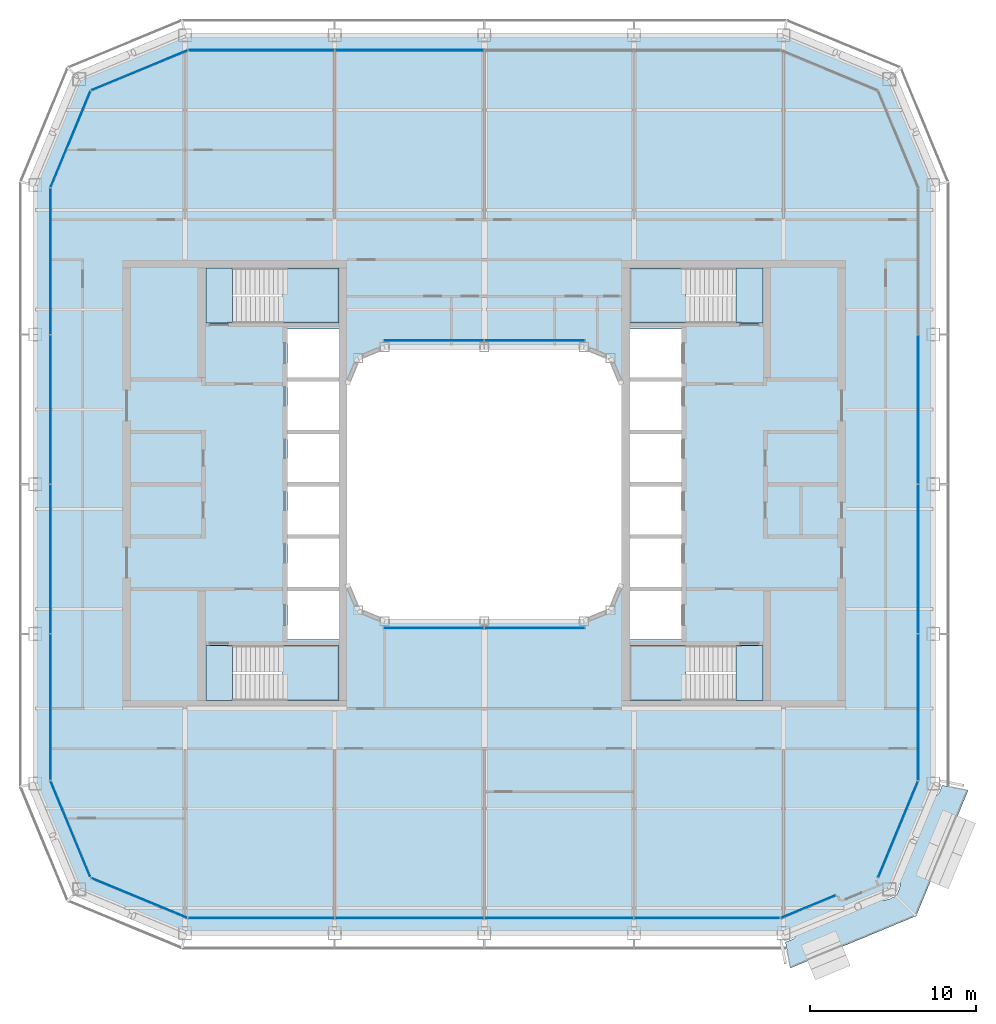
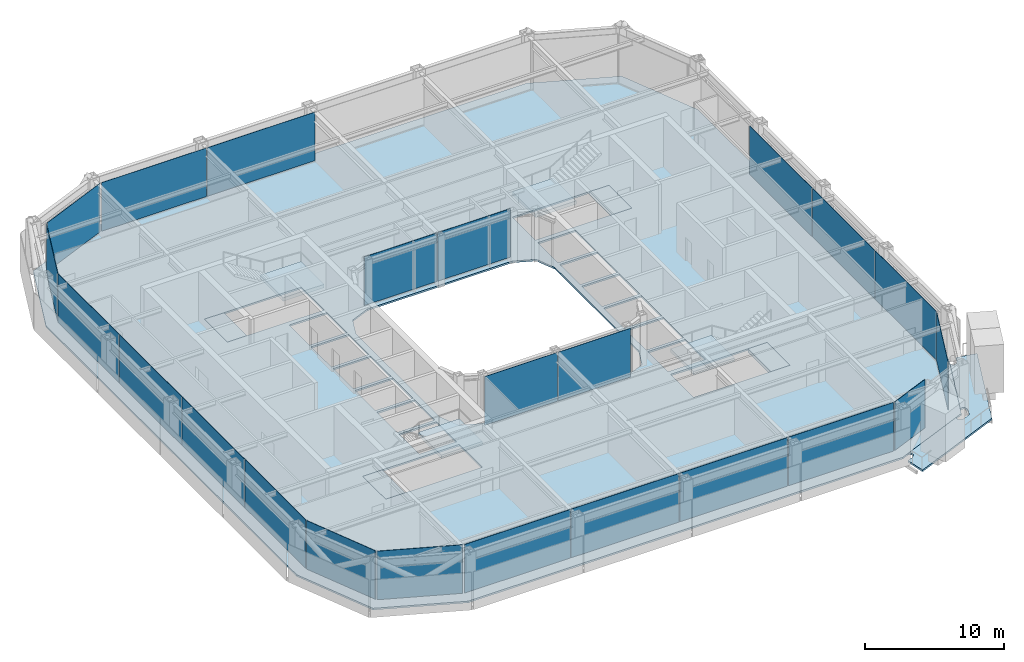
# One storey, part 11 of 22: 23 plates, 10 slabs, 16 elements without a shape of their own.
"""IFC4 building model written with IfcOpenShell, lengths in metres."""

from ifc_helpers import new_model, si_unit, direction, frame, origin, origin_2d, place, context, subcontext, project, spatial, polyline, rectangle, outline, extrude, material, layer, layer_set, type_object, element, aggregate, save


model = new_model("IFC4")

# Units and contexts
model_context = context("Model", 3, precision=1e-05, world=origin(), true_north=direction((0.0, 1.0)))
body_context = subcontext(model_context, "Body", "Model", "MODEL_VIEW")
ifc_project = project(units=[si_unit("LENGTHUNIT", "METRE"), si_unit("AREAUNIT", "SQUARE_METRE"), si_unit("VOLUMEUNIT", "CUBIC_METRE"), si_unit("PLANEANGLEUNIT", "RADIAN"), si_unit("MASSUNIT", "GRAM", prefix="KILO")], contexts=[model_context])

# Site, building, storey
site_placement = place(None, origin())
site = spatial("IfcSite", under=ifc_project, at=site_placement, CompositionType="ELEMENT")
building_placement = place(site_placement, origin())
building = spatial("IfcBuilding", under=site, at=building_placement, Name="Siwar Civic Tower", CompositionType="ELEMENT")
storey_placement = place(building_placement, frame((0.0, 0.0, 255.699951171875)))
storey = spatial("IfcBuildingStorey", under=building, at=storey_placement, Name="L55", CompositionType="ELEMENT", Elevation=255.699951171875)

# Stair, slabs
ifc_material_1 = material(Name="Concrete C40/50", Category="concrete")
stair_type = type_object("IfcStairType", Name="CORE-STAIR", PredefinedType="TWO_STRAIGHT_RUN_STAIR", material=ifc_material_1)
stair_1_placement = place(storey_placement, origin())
stair_1 = element("IfcStair", 1, at=stair_1_placement, inside=storey, type_object=stair_type, Name="Exit stair ST1", PredefinedType="TWO_STRAIGHT_RUN_STAIR")
ifc_material_2 = material(Name="Concrete C40/50", Category="concrete")
ifc_layer_1 = layer(ifc_material_2, 0.300048828125)
ifc_layer_set_1 = layer_set([ifc_layer_1], Name="Concrete C40/50")
slab_type_1 = type_object("IfcSlabType", Name="CORE-STAIR-LANDING", PredefinedType="LANDING", material=ifc_layer_set_1)
slab_1_placement = place(storey_placement, frame((0.0, 0.0, -0.300048828125)))
slab_1 = element("IfcSlab", 2, at=slab_1_placement, type_object=slab_type_1, Name="ST1 landing 1", PredefinedType="LANDING", context=body_context, shape_type="SweptSolid", body=[
    extrude(outline(polyline([(-15.14990234375, 13.0), (-16.75, 13.0), (-16.75, 9.699951171875), (-15.14990234375, 9.699951171875), (-15.14990234375, 13.0)])), origin(), (0.0, 0.0, 1.0), 0.300048828125),
])
slab_2_placement = place(storey_placement, frame((0.0, 0.0, 1.949951171875)))
slab_2 = element("IfcSlab", 3, at=slab_2_placement, type_object=slab_type_1, Name="ST1 landing 2", PredefinedType="LANDING", context=body_context, shape_type="SweptSolid", body=[
    extrude(outline(polyline([(-8.75, 13.0), (-12.139892578125, 13.0), (-12.139892578125, 9.699951171875), (-8.75, 9.699951171875), (-8.75, 13.0)])), origin(), (0.0, 0.0, 1.0), 0.300048828125),
])
aggregate(stair_1, [slab_1, slab_2])

stair_2_placement = place(storey_placement, origin())
stair_2 = element("IfcStair", 4, at=stair_2_placement, inside=storey, type_object=stair_type, Name="Exit stair ST2", PredefinedType="TWO_STRAIGHT_RUN_STAIR")
slab_3_placement = place(storey_placement, frame((0.0, 0.0, -0.300048828125)))
slab_3 = element("IfcSlab", 5, at=slab_3_placement, type_object=slab_type_1, Name="ST2 landing 1", PredefinedType="LANDING", context=body_context, shape_type="SweptSolid", body=[
    extrude(outline(polyline([(-15.14990234375, -9.699951171875), (-16.75, -9.699951171875), (-16.75, -13.0), (-15.14990234375, -13.0), (-15.14990234375, -9.699951171875)])), origin(), (0.0, 0.0, 1.0), 0.300048828125),
])
slab_4_placement = place(storey_placement, frame((0.0, 0.0, 1.949951171875)))
slab_4 = element("IfcSlab", 6, at=slab_4_placement, type_object=slab_type_1, Name="ST2 landing 2", PredefinedType="LANDING", context=body_context, shape_type="SweptSolid", body=[
    extrude(outline(polyline([(-8.75, -9.699951171875), (-12.139892578125, -9.699951171875), (-12.139892578125, -13.0), (-8.75, -13.0), (-8.75, -9.699951171875)])), origin(), (0.0, 0.0, 1.0), 0.300048828125),
])
aggregate(stair_2, [slab_3, slab_4])

stair_3_placement = place(storey_placement, origin())
stair_3 = element("IfcStair", 7, at=stair_3_placement, inside=storey, type_object=stair_type, Name="Exit stair ST3", PredefinedType="TWO_STRAIGHT_RUN_STAIR")
slab_5_placement = place(storey_placement, frame((0.0, 0.0, -0.300048828125)))
slab_5 = element("IfcSlab", 8, at=slab_5_placement, type_object=slab_type_1, Name="ST3 landing 1", PredefinedType="LANDING", context=body_context, shape_type="SweptSolid", body=[
    extrude(outline(polyline([(15.14990234375, 9.699951171875), (16.75, 9.699951171875), (16.75, 13.0), (15.14990234375, 13.0), (15.14990234375, 9.699951171875)])), origin(), (0.0, 0.0, 1.0), 0.300048828125),
])
slab_6_placement = place(storey_placement, frame((0.0, 0.0, 1.949951171875)))
slab_6 = element("IfcSlab", 9, at=slab_6_placement, type_object=slab_type_1, Name="ST3 landing 2", PredefinedType="LANDING", context=body_context, shape_type="SweptSolid", body=[
    extrude(outline(polyline([(8.75, 9.699951171875), (12.139892578125, 9.699951171875), (12.139892578125, 13.0), (8.75, 13.0), (8.75, 9.699951171875)])), origin(), (0.0, 0.0, 1.0), 0.300048828125),
])
aggregate(stair_3, [slab_5, slab_6])

stair_4_placement = place(storey_placement, origin())
stair_4 = element("IfcStair", 10, at=stair_4_placement, inside=storey, type_object=stair_type, Name="Exit stair ST4", PredefinedType="TWO_STRAIGHT_RUN_STAIR")
slab_7_placement = place(storey_placement, frame((0.0, 0.0, -0.300048828125)))
slab_7 = element("IfcSlab", 11, at=slab_7_placement, type_object=slab_type_1, Name="ST4 landing 1", PredefinedType="LANDING", context=body_context, shape_type="SweptSolid", body=[
    extrude(outline(polyline([(15.14990234375, -13.0), (16.75, -13.0), (16.75, -9.699951171875), (15.14990234375, -9.699951171875), (15.14990234375, -13.0)])), origin(), (0.0, 0.0, 1.0), 0.300048828125),
])
slab_8_placement = place(storey_placement, frame((0.0, 0.0, 1.949951171875)))
slab_8 = element("IfcSlab", 12, at=slab_8_placement, type_object=slab_type_1, Name="ST4 landing 2", PredefinedType="LANDING", context=body_context, shape_type="SweptSolid", body=[
    extrude(outline(polyline([(8.75, -13.0), (12.139892578125, -13.0), (12.139892578125, -9.699951171875), (8.75, -9.699951171875), (8.75, -13.0)])), origin(), (0.0, 0.0, 1.0), 0.300048828125),
])
aggregate(stair_4, [slab_7, slab_8])

# Slab
ifc_material_3 = material(Name="Concrete C40/50", Category="concrete")
ifc_layer_2 = layer(ifc_material_3, 0.14990234375)
ifc_layer_set_2 = layer_set([ifc_layer_2], Name="Concrete C40/50")
slab_type_2 = type_object("IfcSlabType", Name="ENV-BALCONY DECK 150", PredefinedType="FLOOR", material=ifc_layer_set_2)
slab_9_placement = place(storey_placement, frame((0.0, 0.0, -0.1494140625)))
element("IfcSlab", 13, at=slab_9_placement, inside=storey, type_object=slab_type_2, Name="Tree balcony deck SE", PredefinedType="FLOOR", context=body_context, shape_type="SweptSolid", body=[
    extrude(outline(polyline([(24.657470703125, -24.82080078125), (24.657470703125, -24.82080078125), (24.649658203125, -24.82421875), (24.40869140625, -24.924560546875), (24.362060546875, -24.94384765625), (24.35986328125, -24.94482421875), (24.305419921875, -24.96533203125), (24.300537109375, -24.967041015625), (24.244873046875, -24.98388671875), (24.238037109375, -24.985595703125), (24.189208984375, -24.99560546875), (24.183837890625, -24.99658203125), (24.13427734375, -25.002685546875), (24.12890625, -25.003173828125), (24.0791015625, -25.006103515625), (24.073974609375, -25.006103515625), (24.024169921875, -25.005615234375), (24.0185546875, -25.00537109375), (24.0126953125, -25.004638671875), (23.970947265625, -24.99755859375), (23.96337890625, -24.995849609375), (23.9560546875, -24.993408203125), (23.922607421875, -24.98046875), (23.91748046875, -24.978271484375), (23.88525390625, -24.962646484375), (23.880615234375, -24.96044921875), (23.849365234375, -24.942626953125), (23.84326171875, -24.93896484375), (23.837646484375, -24.9345703125), (23.83251953125, -24.9296875), (23.810546875, -24.906982421875), (23.804931640625, -24.900634765625), (23.80029296875, -24.8935546875), (23.796142578125, -24.885986328125), (23.78369140625, -24.85888671875), (23.78173828125, -24.85400390625), (23.771240234375, -24.826171875), (23.768798828125, -24.818115234375), (23.76708984375, -24.8095703125), (23.7666015625, -24.80126953125), (23.765869140625, -24.769775390625), (23.76611328125, -24.762451171875), (23.766845703125, -24.75537109375), (23.7685546875, -24.74853515625), (23.77783203125, -24.7138671875), (23.779541015625, -24.708984375), (23.791259765625, -24.675048828125), (23.793212890625, -24.669921875), (23.8076171875, -24.636962890625), (23.81103515625, -24.630126953125), (23.815185546875, -24.62353515625), (23.839599609375, -24.5888671875), (23.84326171875, -24.58447265625), (23.846923828125, -24.580078125), (23.85009765625, -24.57666015625), (18.531494140625, -26.77978515625), (18.5654296875, -26.7802734375), (18.5712890625, -26.780517578125), (18.576904296875, -26.78125), (18.61865234375, -26.788330078125), (18.626220703125, -26.789794921875), (18.633544921875, -26.792236328125), (18.6669921875, -26.805419921875), (18.672119140625, -26.8076171875), (18.70458984375, -26.822998046875), (18.709228515625, -26.825439453125), (18.740234375, -26.84326171875), (18.746337890625, -26.846923828125), (18.751953125, -26.851318359375), (18.75732421875, -26.856201171875), (18.779052734375, -26.87890625), (18.78466796875, -26.88525390625), (18.78955078125, -26.892333984375), (18.79345703125, -26.899658203125), (18.805908203125, -26.927001953125), (18.80810546875, -26.931884765625), (18.818603515625, -26.959716796875), (18.821044921875, -26.9677734375), (18.82275390625, -26.97607421875), (18.8232421875, -26.984619140625), (18.823974609375, -27.01611328125), (18.82373046875, -27.023193359375), (18.82275390625, -27.0302734375), (18.8212890625, -27.037353515625), (18.811767578125, -27.072021484375), (18.810302734375, -27.076904296875), (18.79833984375, -27.11083984375), (18.79638671875, -27.115966796875), (18.7822265625, -27.14892578125), (18.77880859375, -27.15576171875), (18.774658203125, -27.162353515625), (18.75, -27.197021484375), (18.74658203125, -27.201416015625), (18.74267578125, -27.205810546875), (18.7080078125, -27.241455078125), (18.704345703125, -27.2451171875), (18.667236328125, -27.278564453125), (18.663330078125, -27.281982421875), (18.623779296875, -27.312744140625), (18.619384765625, -27.31591796875), (18.577880859375, -27.343505859375), (18.57177734375, -27.34716796875), (18.520751953125, -27.374755859375), (18.51611328125, -27.377197265625), (18.463134765625, -27.4013671875), (18.4609375, -27.40234375), (18.453125, -27.405517578125), (18.406494140625, -27.425048828125), (18.17333984375, -27.522216796875), (18.16552734375, -27.525390625), (18.16552734375, -27.525390625), (18.15869140625, -27.52783203125), (18.13916015625, -27.533935546875), (18.13232421875, -27.53564453125), (18.12548828125, -27.53662109375), (18.107177734375, -27.538818359375), (18.417724609375, -29.10009765625), (25.97119140625, -25.97119140625), (29.10009765625, -18.417724609375), (27.5361328125, -18.106689453125), (27.5361328125, -18.107421875), (27.535400390625, -18.1240234375), (27.53466796875, -18.1328125), (27.53271484375, -18.141357421875), (27.5283203125, -18.156982421875), (27.525390625, -18.16552734375), (27.5234375, -18.170166015625), (27.522216796875, -18.17333984375), (27.515625, -18.18896484375), (27.49951171875, -18.227783203125), (27.494140625, -18.240234375), (27.425048828125, -18.406494140625), (27.405517578125, -18.453125), (27.40234375, -18.4609375), (27.4013671875, -18.463134765625), (27.377197265625, -18.51611328125), (27.374755859375, -18.520751953125), (27.34716796875, -18.57177734375), (27.343505859375, -18.577880859375), (27.31591796875, -18.619384765625), (27.312744140625, -18.623779296875), (27.281982421875, -18.663330078125), (27.278564453125, -18.667236328125), (27.2451171875, -18.704345703125), (27.241455078125, -18.7080078125), (27.205810546875, -18.74267578125), (27.201416015625, -18.74658203125), (27.197021484375, -18.75), (27.162353515625, -18.774658203125), (27.15576171875, -18.77880859375), (27.14892578125, -18.7822265625), (27.115966796875, -18.79638671875), (27.11083984375, -18.79833984375), (27.076904296875, -18.810302734375), (27.072021484375, -18.811767578125), (27.037353515625, -18.8212890625), (27.0302734375, -18.82275390625), (27.023193359375, -18.82373046875), (27.01611328125, -18.823974609375), (26.984619140625, -18.8232421875), (26.97607421875, -18.82275390625), (26.9677734375, -18.821044921875), (26.959716796875, -18.818603515625), (26.931884765625, -18.80810546875), (26.927001953125, -18.805908203125), (26.899658203125, -18.79345703125), (26.892333984375, -18.78955078125), (26.88525390625, -18.78466796875), (26.87890625, -18.779052734375), (26.856201171875, -18.75732421875), (26.851318359375, -18.751953125), (26.846923828125, -18.746337890625), (26.84326171875, -18.740234375), (26.825439453125, -18.709228515625), (26.822998046875, -18.70458984375), (26.8076171875, -18.672119140625), (26.805419921875, -18.6669921875), (26.792236328125, -18.633544921875), (26.789794921875, -18.626220703125), (26.788330078125, -18.61865234375), (26.78125, -18.576904296875), (26.780517578125, -18.5712890625), (26.7802734375, -18.5654296875), (26.77978515625, -18.531494140625), (24.57666015625, -23.85009765625), (24.580078125, -23.846923828125), (24.58447265625, -23.84326171875), (24.5888671875, -23.839599609375), (24.62353515625, -23.815185546875), (24.630126953125, -23.81103515625), (24.636962890625, -23.8076171875), (24.669921875, -23.793212890625), (24.675048828125, -23.791259765625), (24.708984375, -23.779541015625), (24.7138671875, -23.77783203125), (24.74853515625, -23.7685546875), (24.75537109375, -23.766845703125), (24.762451171875, -23.76611328125), (24.769775390625, -23.765869140625), (24.80126953125, -23.7666015625), (24.8095703125, -23.76708984375), (24.818115234375, -23.768798828125), (24.826171875, -23.771240234375), (24.85400390625, -23.78173828125), (24.85888671875, -23.78369140625), (24.885986328125, -23.796142578125), (24.8935546875, -23.80029296875), (24.900634765625, -23.804931640625), (24.906982421875, -23.810546875), (24.9296875, -23.83251953125), (24.9345703125, -23.837646484375), (24.93896484375, -23.84326171875), (24.942626953125, -23.849365234375), (24.96044921875, -23.880615234375), (24.962646484375, -23.88525390625), (24.978271484375, -23.91748046875), (24.98046875, -23.922607421875), (24.993408203125, -23.9560546875), (24.995849609375, -23.96337890625), (24.99755859375, -23.970947265625), (25.004638671875, -24.0126953125), (25.00537109375, -24.0185546875), (25.005615234375, -24.024169921875), (25.006103515625, -24.073974609375), (25.006103515625, -24.0791015625), (25.003173828125, -24.12890625), (25.002685546875, -24.13427734375), (24.99658203125, -24.183837890625), (24.99560546875, -24.189208984375), (24.985595703125, -24.238037109375), (24.98388671875, -24.244873046875), (24.967041015625, -24.300537109375), (24.96533203125, -24.305419921875), (24.94482421875, -24.35986328125), (24.94384765625, -24.362060546875), (24.924560546875, -24.40869140625), (24.82421875, -24.649658203125), (24.82080078125, -24.657470703125), (24.81689453125, -24.66552734375), (24.808837890625, -24.6796875), (24.80419921875, -24.68701171875), (24.798583984375, -24.693603515625), (24.787109375, -24.7060546875), (24.78173828125, -24.71142578125), (24.78173828125, -24.71142578125), (24.781494140625, -24.71142578125), (24.78076171875, -24.712158203125), (24.77783203125, -24.718505859375), (24.774169921875, -24.724853515625), (24.77001953125, -24.730712890625), (24.763916015625, -24.73828125), (24.763916015625, -24.763916015625), (24.741455078125, -24.763916015625), (24.72607421875, -24.778564453125), (24.7177734375, -24.785400390625), (24.695556640625, -24.801025390625), (24.686279296875, -24.806640625), (24.662353515625, -24.818603515625), (24.657470703125, -24.82080078125), (24.657470703125, -24.82080078125), (24.657470703125, -24.82080078125), (24.657470703125, -24.82080078125)])), origin(), (0.0, 0.0, 1.0), 0.1494140625),
])

# Curtain wall, plates
ifc_material_4 = material(Name="Aluminium and glass", Category="aluminium")
ifc_layer_3 = layer(ifc_material_4, 0.179931640625)
ifc_layer_set_3 = layer_set([ifc_layer_3], Name="Aluminium and glass")
curtain_wall_type_1 = type_object("IfcCurtainWallType", Name="ENV-CW-C", PredefinedType="NOTDEFINED", material=ifc_layer_set_3)
curtain_wall_1_placement = place(storey_placement, origin())
curtain_wall_1 = element("IfcCurtainWall", 14, at=curtain_wall_1_placement, inside=storey, type_object=curtain_wall_type_1, Name="Curtain wall C S", PredefinedType="NOTDEFINED")
ifc_material_5 = material(Name="Glass clear laminated", Category="glass")
ifc_layer_4 = layer(ifc_material_5, 0.031982421875)
ifc_layer_set_4 = layer_set([ifc_layer_4], Name="Glass clear laminated")
plate_type_1 = type_object("IfcPlateType", Name="ENV-PANEL-C", PredefinedType="CURTAIN_PANEL", material=ifc_layer_set_4)
plate_1_placement = place(storey_placement, frame((-13.410400390625, -26.10009765625, 0.10009765625), z_axis=(0.0, 0.0, 1.0), x_axis=(1.0, 0.0, 0.0)))
plate_1 = element("IfcPlate", 15, at=plate_1_placement, type_object=plate_type_1, Name="Curtain panel C S 1", PredefinedType="CURTAIN_PANEL", context=body_context, shape_type="SweptSolid", body=[
    extrude(rectangle(XDim=8.760986328125, YDim=0.031982421875, at=origin_2d()), origin(), (0.0, 0.0, 1.0), 4.25),
])
plate_2_placement = place(storey_placement, frame((-4.5, -26.10009765625, 0.10009765625), z_axis=(0.0, 0.0, 1.0), x_axis=(1.0, 0.0, 0.0)))
plate_2 = element("IfcPlate", 16, at=plate_2_placement, type_object=plate_type_1, Name="Curtain panel C S 2", PredefinedType="CURTAIN_PANEL", context=body_context, shape_type="SweptSolid", body=[
    extrude(rectangle(XDim=8.93994140625, YDim=0.031982421875, at=origin_2d()), origin(), (0.0, 0.0, 1.0), 4.25),
])
plate_3_placement = place(storey_placement, frame((4.5, -26.10009765625, 0.10009765625), z_axis=(0.0, 0.0, 1.0), x_axis=(1.0, 0.0, 0.0)))
plate_3 = element("IfcPlate", 17, at=plate_3_placement, type_object=plate_type_1, Name="Curtain panel C S 3", PredefinedType="CURTAIN_PANEL", context=body_context, shape_type="SweptSolid", body=[
    extrude(rectangle(XDim=8.93994140625, YDim=0.031982421875, at=origin_2d()), origin(), (0.0, 0.0, 1.0), 4.25),
])
plate_4_placement = place(storey_placement, frame((13.373046875, -26.10009765625, 0.10009765625), z_axis=(0.0, 0.0, 1.0), x_axis=(1.0, 0.0, 0.0)))
plate_4 = element("IfcPlate", 18, at=plate_4_placement, type_object=plate_type_1, Name="Curtain panel C S 4", PredefinedType="CURTAIN_PANEL", context=body_context, shape_type="SweptSolid", body=[
    extrude(rectangle(XDim=8.68603515625, YDim=0.031982421875, at=origin_2d()), origin(), (0.0, 0.0, 1.0), 4.25),
])
aggregate(curtain_wall_1, [plate_1, plate_2, plate_3, plate_4])

curtain_wall_2_placement = place(storey_placement, origin())
curtain_wall_2 = element("IfcCurtainWall", 19, at=curtain_wall_2_placement, inside=storey, type_object=curtain_wall_type_1, Name="Curtain wall C E", PredefinedType="NOTDEFINED")
plate_5_placement = place(storey_placement, frame((26.10009765625, -13.410400390625, 0.10009765625), z_axis=(0.0, 0.0, 1.0), x_axis=(0.0, 1.0, 0.0)))
plate_5 = element("IfcPlate", 20, at=plate_5_placement, type_object=plate_type_1, Name="Curtain panel C E 1", PredefinedType="CURTAIN_PANEL", context=body_context, shape_type="SweptSolid", body=[
    extrude(rectangle(XDim=8.760986328125, YDim=0.031982421875, at=origin_2d()), origin(), (0.0, 0.0, 1.0), 4.25),
])
plate_6_placement = place(storey_placement, frame((26.10009765625, -4.5, 0.10009765625), z_axis=(0.0, 0.0, 1.0), x_axis=(0.0, 1.0, 0.0)))
plate_6 = element("IfcPlate", 21, at=plate_6_placement, type_object=plate_type_1, Name="Curtain panel C E 2", PredefinedType="CURTAIN_PANEL", context=body_context, shape_type="SweptSolid", body=[
    extrude(rectangle(XDim=8.93994140625, YDim=0.031982421875, at=origin_2d()), origin(), (0.0, 0.0, 1.0), 4.25),
])
plate_7_placement = place(storey_placement, frame((26.10009765625, 4.5, 0.10009765625), z_axis=(0.0, 0.0, 1.0), x_axis=(0.0, 1.0, 0.0)))
plate_7 = element("IfcPlate", 22, at=plate_7_placement, type_object=plate_type_1, Name="Curtain panel C E 3", PredefinedType="CURTAIN_PANEL", context=body_context, shape_type="SweptSolid", body=[
    extrude(rectangle(XDim=8.93994140625, YDim=0.031982421875, at=origin_2d()), origin(), (0.0, 0.0, 1.0), 4.25),
])
aggregate(curtain_wall_2, [plate_5, plate_6, plate_7])

curtain_wall_3_placement = place(storey_placement, origin())
curtain_wall_3 = element("IfcCurtainWall", 23, at=curtain_wall_3_placement, inside=storey, type_object=curtain_wall_type_1, Name="Curtain wall C N", PredefinedType="NOTDEFINED")
plate_8_placement = place(storey_placement, frame((-4.5, 26.10009765625, 0.10009765625), z_axis=(0.0, 0.0, 1.0), x_axis=(-1.0, 0.0, 0.0)))
plate_8 = element("IfcPlate", 24, at=plate_8_placement, type_object=plate_type_1, Name="Curtain panel C N 3", PredefinedType="CURTAIN_PANEL", context=body_context, shape_type="SweptSolid", body=[
    extrude(rectangle(XDim=8.93994140625, YDim=0.031982421875, at=origin_2d()), origin(), (0.0, 0.0, 1.0), 4.25),
])
plate_9_placement = place(storey_placement, frame((-13.373046875, 26.10009765625, 0.10009765625), z_axis=(0.0, 0.0, 1.0), x_axis=(-1.0, 0.0, 0.0)))
plate_9 = element("IfcPlate", 25, at=plate_9_placement, type_object=plate_type_1, Name="Curtain panel C N 4", PredefinedType="CURTAIN_PANEL", context=body_context, shape_type="SweptSolid", body=[
    extrude(rectangle(XDim=8.68603515625, YDim=0.031982421875, at=origin_2d()), origin(), (0.0, 0.0, 1.0), 4.25),
])
aggregate(curtain_wall_3, [plate_8, plate_9])

curtain_wall_4_placement = place(storey_placement, origin())
curtain_wall_4 = element("IfcCurtainWall", 26, at=curtain_wall_4_placement, inside=storey, type_object=curtain_wall_type_1, Name="Curtain wall C W", PredefinedType="NOTDEFINED")
plate_10_placement = place(storey_placement, frame((-26.10009765625, 13.410400390625, 0.10009765625), z_axis=(0.0, 0.0, 1.0), x_axis=(0.0, -1.0, 0.0)))
plate_10 = element("IfcPlate", 27, at=plate_10_placement, type_object=plate_type_1, Name="Curtain panel C W 1", PredefinedType="CURTAIN_PANEL", context=body_context, shape_type="SweptSolid", body=[
    extrude(rectangle(XDim=8.760986328125, YDim=0.031982421875, at=origin_2d()), origin(), (0.0, 0.0, 1.0), 4.25),
])
plate_11_placement = place(storey_placement, frame((-26.10009765625, 4.5, 0.10009765625), z_axis=(0.0, 0.0, 1.0), x_axis=(0.0, -1.0, 0.0)))
plate_11 = element("IfcPlate", 28, at=plate_11_placement, type_object=plate_type_1, Name="Curtain panel C W 2", PredefinedType="CURTAIN_PANEL", context=body_context, shape_type="SweptSolid", body=[
    extrude(rectangle(XDim=8.93994140625, YDim=0.031982421875, at=origin_2d()), origin(), (0.0, 0.0, 1.0), 4.25),
])
plate_12_placement = place(storey_placement, frame((-26.10009765625, -4.5, 0.10009765625), z_axis=(0.0, 0.0, 1.0), x_axis=(0.0, -1.0, 0.0)))
plate_12 = element("IfcPlate", 29, at=plate_12_placement, type_object=plate_type_1, Name="Curtain panel C W 3", PredefinedType="CURTAIN_PANEL", context=body_context, shape_type="SweptSolid", body=[
    extrude(rectangle(XDim=8.93994140625, YDim=0.031982421875, at=origin_2d()), origin(), (0.0, 0.0, 1.0), 4.25),
])
plate_13_placement = place(storey_placement, frame((-26.10009765625, -13.373046875, 0.10009765625), z_axis=(0.0, 0.0, 1.0), x_axis=(0.0, -1.0, 0.0)))
plate_13 = element("IfcPlate", 30, at=plate_13_placement, type_object=plate_type_1, Name="Curtain panel C W 4", PredefinedType="CURTAIN_PANEL", context=body_context, shape_type="SweptSolid", body=[
    extrude(rectangle(XDim=8.68603515625, YDim=0.031982421875, at=origin_2d()), origin(), (0.0, 0.0, 1.0), 4.25),
])
aggregate(curtain_wall_4, [plate_10, plate_11, plate_12, plate_13])

# Curtain wall, plate
ifc_material_6 = material(Name="Aluminium clad insulated panel", Category="aluminium")
ifc_layer_5 = layer(ifc_material_6, 0.179931640625)
ifc_layer_set_5 = layer_set([ifc_layer_5], Name="Aluminium clad insulated panel")
curtain_wall_type_2 = type_object("IfcCurtainWallType", Name="ENV-CW-CX", PredefinedType="NOTDEFINED", material=ifc_layer_set_5)
curtain_wall_5_placement = place(storey_placement, origin())
curtain_wall_5 = element("IfcCurtainWall", 31, at=curtain_wall_5_placement, inside=storey, type_object=curtain_wall_type_2, Name="Curtain wall C SE1", PredefinedType="NOTDEFINED")
ifc_material_7 = material(Name="Aluminium clad insulated panel", Category="aluminium")
ifc_layer_6 = layer(ifc_material_7, 0.031982421875)
ifc_layer_set_6 = layer_set([ifc_layer_6], Name="Aluminium clad insulated panel")
plate_type_2 = type_object("IfcPlateType", Name="ENV-PANEL-CX", PredefinedType="CURTAIN_PANEL", material=ifc_layer_set_6)
plate_14_placement = place(storey_placement, frame((19.4873046875, -25.40966796875, 0.10009765625), z_axis=(0.0, 0.0, 1.0), x_axis=(0.923879532511, 0.382683432365, 0.0)))
plate_14 = element("IfcPlate", 32, at=plate_14_placement, type_object=plate_type_2, Name="Curtain panel C SE1 1", PredefinedType="CURTAIN_PANEL", context=body_context, shape_type="SweptSolid", body=[
    extrude(rectangle(XDim=3.54736328125, YDim=0.031982421875, at=origin_2d()), origin(), (0.0, 0.0, 1.0), 4.25),
])
aggregate(curtain_wall_5, [plate_14])

curtain_wall_6_placement = place(storey_placement, origin())
curtain_wall_6 = element("IfcCurtainWall", 33, at=curtain_wall_6_placement, inside=storey, type_object=curtain_wall_type_2, Name="Curtain wall C SE2", PredefinedType="NOTDEFINED")
plate_15_placement = place(storey_placement, frame((24.873291015625, -20.78271484375, 0.10009765625), z_axis=(0.0, 0.0, 1.0), x_axis=(0.382683432365, 0.923879532511, 0.0)))
plate_15 = element("IfcPlate", 34, at=plate_15_placement, type_object=plate_type_2, Name="Curtain panel C SE2 1", PredefinedType="CURTAIN_PANEL", context=body_context, shape_type="SweptSolid", body=[
    extrude(rectangle(XDim=6.20166015625, YDim=0.031982421875, at=origin_2d()), origin(), (0.0, 0.0, 1.0), 4.25),
])
aggregate(curtain_wall_6, [plate_15])

curtain_wall_7_placement = place(storey_placement, origin())
curtain_wall_7 = element("IfcCurtainWall", 35, at=curtain_wall_7_placement, inside=storey, type_object=curtain_wall_type_2, Name="Curtain wall C NW1", PredefinedType="NOTDEFINED")
plate_16_placement = place(storey_placement, frame((-20.71337890625, 24.90185546875, 0.10009765625), z_axis=(0.0, 0.0, 1.0), x_axis=(-0.923879532511, -0.382683432365, 0.0)))
plate_16 = element("IfcPlate", 36, at=plate_16_placement, type_object=plate_type_2, Name="Curtain panel C NW1 1", PredefinedType="CURTAIN_PANEL", context=body_context, shape_type="SweptSolid", body=[
    extrude(rectangle(XDim=6.20166015625, YDim=0.031982421875, at=origin_2d()), origin(), (0.0, 0.0, 1.0), 4.25),
])
aggregate(curtain_wall_7, [plate_16])

curtain_wall_8_placement = place(storey_placement, origin())
curtain_wall_8 = element("IfcCurtainWall", 37, at=curtain_wall_8_placement, inside=storey, type_object=curtain_wall_type_2, Name="Curtain wall C NW2", PredefinedType="NOTDEFINED")
plate_17_placement = place(storey_placement, frame((-24.873291015625, 20.78271484375, 0.10009765625), z_axis=(0.0, 0.0, 1.0), x_axis=(-0.382683432365, -0.923879532511, 0.0)))
plate_17 = element("IfcPlate", 38, at=plate_17_placement, type_object=plate_type_2, Name="Curtain panel C NW2 1", PredefinedType="CURTAIN_PANEL", context=body_context, shape_type="SweptSolid", body=[
    extrude(rectangle(XDim=6.20166015625, YDim=0.031982421875, at=origin_2d()), origin(), (0.0, 0.0, 1.0), 4.25),
])
aggregate(curtain_wall_8, [plate_17])

curtain_wall_9_placement = place(storey_placement, origin())
curtain_wall_9 = element("IfcCurtainWall", 39, at=curtain_wall_9_placement, inside=storey, type_object=curtain_wall_type_2, Name="Curtain wall C SW1", PredefinedType="NOTDEFINED")
plate_18_placement = place(storey_placement, frame((-24.90185546875, -20.71337890625, 0.10009765625), z_axis=(0.0, 0.0, 1.0), x_axis=(0.382683432365, -0.923879532511, 0.0)))
plate_18 = element("IfcPlate", 40, at=plate_18_placement, type_object=plate_type_2, Name="Curtain panel C SW1 1", PredefinedType="CURTAIN_PANEL", context=body_context, shape_type="SweptSolid", body=[
    extrude(rectangle(XDim=6.20166015625, YDim=0.031982421875, at=origin_2d()), origin(), (0.0, 0.0, 1.0), 4.25),
])
aggregate(curtain_wall_9, [plate_18])

curtain_wall_10_placement = place(storey_placement, origin())
curtain_wall_10 = element("IfcCurtainWall", 41, at=curtain_wall_10_placement, inside=storey, type_object=curtain_wall_type_2, Name="Curtain wall C SW2", PredefinedType="NOTDEFINED")
plate_19_placement = place(storey_placement, frame((-20.78271484375, -24.873291015625, 0.10009765625), z_axis=(0.0, 0.0, 1.0), x_axis=(0.923879532511, -0.382683432365, 0.0)))
plate_19 = element("IfcPlate", 42, at=plate_19_placement, type_object=plate_type_2, Name="Curtain panel C SW2 1", PredefinedType="CURTAIN_PANEL", context=body_context, shape_type="SweptSolid", body=[
    extrude(rectangle(XDim=6.20166015625, YDim=0.031982421875, at=origin_2d()), origin(), (0.0, 0.0, 1.0), 4.25),
])
aggregate(curtain_wall_10, [plate_19])

# Curtain wall, plates
ifc_material_8 = material(Name="Aluminium and glass", Category="aluminium")
ifc_layer_7 = layer(ifc_material_8, 0.179931640625)
ifc_layer_set_7 = layer_set([ifc_layer_7], Name="Aluminium and glass")
curtain_wall_type_3 = type_object("IfcCurtainWallType", Name="ENV-CW-W", PredefinedType="NOTDEFINED", material=ifc_layer_set_7)
curtain_wall_11_placement = place(storey_placement, origin())
curtain_wall_11 = element("IfcCurtainWall", 43, at=curtain_wall_11_placement, inside=storey, type_object=curtain_wall_type_3, Name="Curtain wall W WS", PredefinedType="NOTDEFINED")
ifc_material_9 = material(Name="Glass clear laminated", Category="glass")
ifc_layer_8 = layer(ifc_material_9, 0.031982421875)
ifc_layer_set_8 = layer_set([ifc_layer_8], Name="Glass clear laminated")
plate_type_3 = type_object("IfcPlateType", Name="ENV-PANEL-W", PredefinedType="CURTAIN_PANEL", material=ifc_layer_set_8)
plate_20_placement = place(storey_placement, frame((-3.038330078125, -8.635009765625, 0.10009765625), z_axis=(0.0, 0.0, 1.0), x_axis=(1.0, 0.0, 0.0)))
plate_20 = element("IfcPlate", 44, at=plate_20_placement, type_object=plate_type_3, Name="Curtain panel W WS 1", PredefinedType="CURTAIN_PANEL", context=body_context, shape_type="SweptSolid", body=[
    extrude(rectangle(XDim=6.0166015625, YDim=0.031982421875, at=origin_2d()), origin(), (0.0, 0.0, 1.0), 4.25),
])
plate_21_placement = place(storey_placement, frame((3.038330078125, -8.635009765625, 0.10009765625), z_axis=(0.0, 0.0, 1.0), x_axis=(1.0, 0.0, 0.0)))
plate_21 = element("IfcPlate", 45, at=plate_21_placement, type_object=plate_type_3, Name="Curtain panel W WS 2", PredefinedType="CURTAIN_PANEL", context=body_context, shape_type="SweptSolid", body=[
    extrude(rectangle(XDim=6.0166015625, YDim=0.031982421875, at=origin_2d()), origin(), (0.0, 0.0, 1.0), 4.25),
])
aggregate(curtain_wall_11, [plate_20, plate_21])

curtain_wall_12_placement = place(storey_placement, origin())
curtain_wall_12 = element("IfcCurtainWall", 46, at=curtain_wall_12_placement, inside=storey, type_object=curtain_wall_type_3, Name="Curtain wall W WN", PredefinedType="NOTDEFINED")
plate_22_placement = place(storey_placement, frame((3.038330078125, 8.635009765625, 0.10009765625), z_axis=(0.0, 0.0, 1.0), x_axis=(-1.0, 0.0, 0.0)))
plate_22 = element("IfcPlate", 47, at=plate_22_placement, type_object=plate_type_3, Name="Curtain panel W WN 1", PredefinedType="CURTAIN_PANEL", context=body_context, shape_type="SweptSolid", body=[
    extrude(rectangle(XDim=6.0166015625, YDim=0.031982421875, at=origin_2d()), origin(), (0.0, 0.0, 1.0), 4.25),
])
plate_23_placement = place(storey_placement, frame((-3.038330078125, 8.635009765625, 0.10009765625), z_axis=(0.0, 0.0, 1.0), x_axis=(-1.0, 0.0, 0.0)))
plate_23 = element("IfcPlate", 48, at=plate_23_placement, type_object=plate_type_3, Name="Curtain panel W WN 2", PredefinedType="CURTAIN_PANEL", context=body_context, shape_type="SweptSolid", body=[
    extrude(rectangle(XDim=6.0166015625, YDim=0.031982421875, at=origin_2d()), origin(), (0.0, 0.0, 1.0), 4.25),
])
aggregate(curtain_wall_12, [plate_22, plate_23])

# Slab
ifc_material_10 = material(Name="Concrete C40/50", Category="concrete")
ifc_layer_9 = layer(ifc_material_10, 0.14990234375)
ifc_layer_set_9 = layer_set([ifc_layer_9], Name="Concrete C40/50")
slab_type_3 = type_object("IfcSlabType", Name="STR-FLOOR-DECK-150", PredefinedType="FLOOR", material=ifc_layer_set_9)
slab_10_placement = place(storey_placement, frame((0.0, 0.0, -0.14990234375)))
element("IfcSlab", 49, at=slab_10_placement, inside=storey, type_object=slab_type_3, Name="L55/slab/1", PredefinedType="FLOOR", context=body_context, shape_type="SweptSolid", body=[
    extrude(outline(polyline([(-18.0, -27.0), (18.0, -27.0), (24.364013671875, -24.364013671875), (27.0, -18.0), (27.0, 18.0), (24.364013671875, 24.364013671875), (18.0, 27.0), (-18.0, 27.0), (-24.364013671875, 24.364013671875), (-27.0, 18.0), (-27.0, -18.0), (-24.364013671875, -24.364013671875), (-18.0, -27.0)]), holes=[polyline([(16.75, 13.0), (16.75, 9.699951171875), (8.75, 9.699951171875), (8.75, 13.0), (16.75, 13.0)]), polyline([(8.75, -9.699951171875), (16.75, -9.699951171875), (16.75, -13.0), (8.75, -13.0), (8.75, -9.699951171875)]), polyline([(11.85009765625, 9.324951171875), (11.85009765625, 6.425048828125), (8.75, 6.425048828125), (8.75, 9.324951171875), (11.85009765625, 9.324951171875)]), polyline([(8.75, 6.175048828125), (11.85009765625, 6.175048828125), (11.85009765625, 3.27490234375), (8.75, 3.27490234375), (8.75, 6.175048828125)]), polyline([(8.75, 3.02490234375), (11.85009765625, 3.02490234375), (11.85009765625, 0.125), (8.75, 0.125), (8.75, 3.02490234375)]), polyline([(8.75, -0.125), (11.85009765625, -0.125), (11.85009765625, -3.02490234375), (8.75, -3.02490234375), (8.75, -0.125)]), polyline([(8.75, -3.27490234375), (11.85009765625, -3.27490234375), (11.85009765625, -6.175048828125), (8.75, -6.175048828125), (8.75, -3.27490234375)]), polyline([(8.75, -6.425048828125), (11.85009765625, -6.425048828125), (11.85009765625, -9.324951171875), (8.75, -9.324951171875), (8.75, -6.425048828125)]), polyline([(-6.0, 8.25), (6.0, 8.25), (7.591064453125, 7.591064453125), (8.25, 6.0), (8.25, -6.0), (7.591064453125, -7.591064453125), (6.0, -8.25), (-6.0, -8.25), (-7.591064453125, -7.591064453125), (-8.25, -6.0), (-8.25, 6.0), (-7.591064453125, 7.591064453125), (-6.0, 8.25)]), polyline([(-8.75, -13.0), (-16.75, -13.0), (-16.75, -9.699951171875), (-8.75, -9.699951171875), (-8.75, -13.0)]), polyline([(-8.75, 9.699951171875), (-16.75, 9.699951171875), (-16.75, 13.0), (-8.75, 13.0), (-8.75, 9.699951171875)]), polyline([(-8.75, 6.425048828125), (-11.85009765625, 6.425048828125), (-11.85009765625, 9.324951171875), (-8.75, 9.324951171875), (-8.75, 6.425048828125)]), polyline([(-8.75, 3.27490234375), (-11.85009765625, 3.27490234375), (-11.85009765625, 6.175048828125), (-8.75, 6.175048828125), (-8.75, 3.27490234375)]), polyline([(-8.75, 0.125), (-11.85009765625, 0.125), (-11.85009765625, 3.02490234375), (-8.75, 3.02490234375), (-8.75, 0.125)]), polyline([(-8.75, -3.02490234375), (-11.85009765625, -3.02490234375), (-11.85009765625, -0.125), (-8.75, -0.125), (-8.75, -3.02490234375)]), polyline([(-8.75, -6.175048828125), (-11.85009765625, -6.175048828125), (-11.85009765625, -3.27490234375), (-8.75, -3.27490234375), (-8.75, -6.175048828125)]), polyline([(-8.75, -9.324951171875), (-11.85009765625, -9.324951171875), (-11.85009765625, -6.425048828125), (-8.75, -6.425048828125), (-8.75, -9.324951171875)])]), origin(), (0.0, 0.0, 1.0), 0.14990234375),
])

save(model, "model.ifc")
